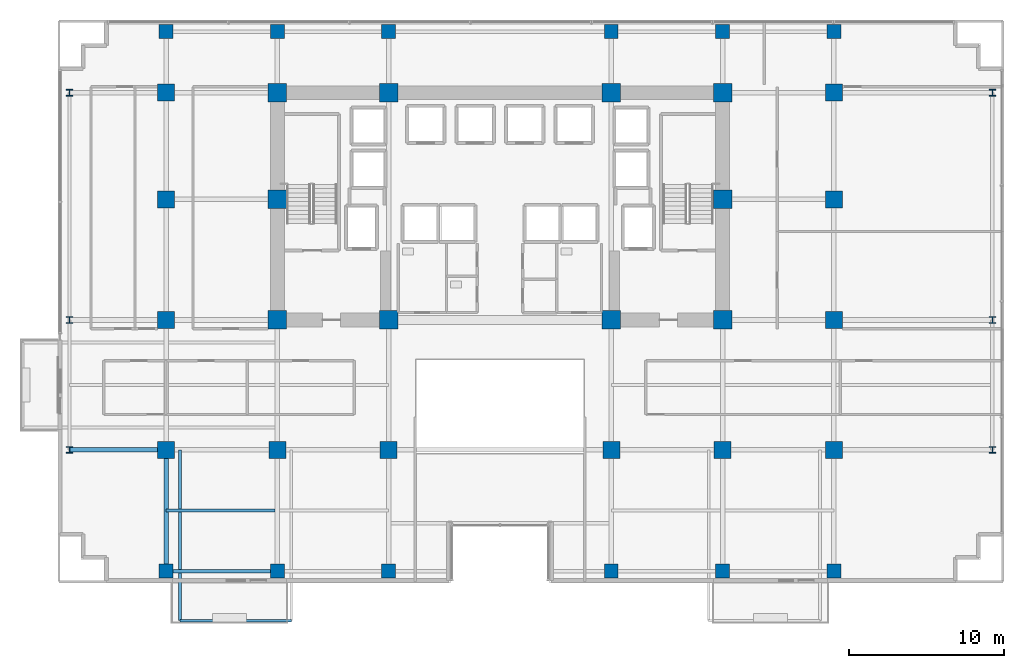
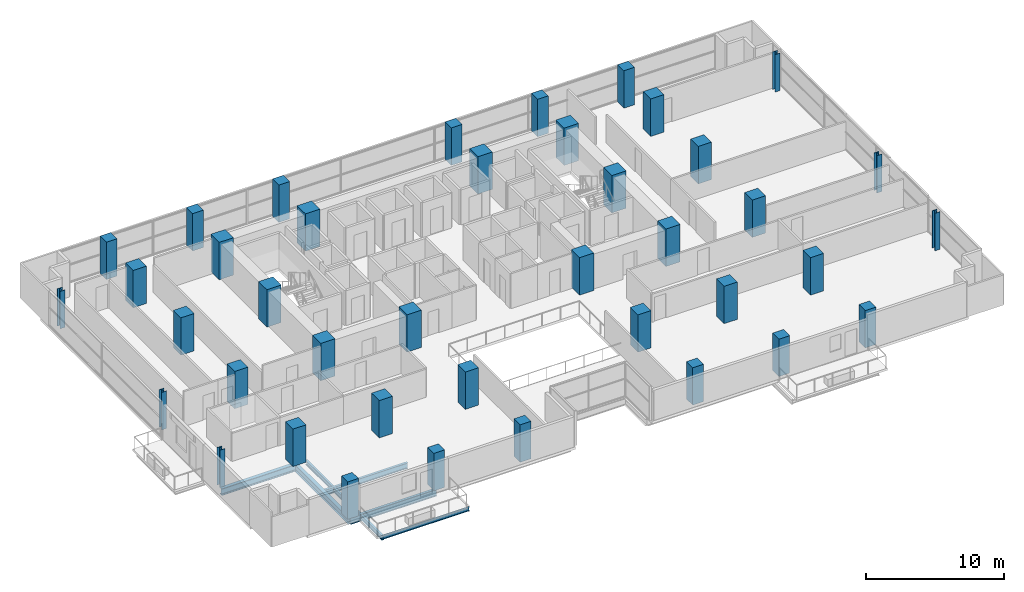
# One storey, part 1 of 31: 40 columns, 6 beams.
"""IFC4 building model written with IfcOpenShell, lengths in metres."""

from ifc_helpers import new_model, si_unit, direction, frame, origin, origin_2d, place, context, subcontext, project, spatial, rectangle, i_section, extrude, material, material_profile, profile_set, type_object, element, save


model = new_model("IFC4")

# Units and contexts
model_context = context("Model", 3, precision=1e-05, world=origin(), true_north=direction((0.0, 1.0)))
body_context = subcontext(model_context, "Body", "Model", "MODEL_VIEW")
ifc_project = project(units=[si_unit("LENGTHUNIT", "METRE"), si_unit("AREAUNIT", "SQUARE_METRE"), si_unit("VOLUMEUNIT", "CUBIC_METRE"), si_unit("PLANEANGLEUNIT", "RADIAN"), si_unit("MASSUNIT", "GRAM", prefix="KILO")], contexts=[model_context])

# Site, building, storey
site_placement = place(None, origin())
site = spatial("IfcSite", under=ifc_project, at=site_placement, CompositionType="ELEMENT")
building_placement = place(site_placement, origin())
building = spatial("IfcBuilding", under=site, at=building_placement, Name="Zarnakvel Exchange Tower", CompositionType="ELEMENT")
storey_placement = place(building_placement, frame((0.0, 0.0, 67.0)))
storey = spatial("IfcBuildingStorey", under=building, at=storey_placement, Name="L18", CompositionType="ELEMENT", Elevation=67.0)

# Columns
ifc_material_1 = material(Name="Concrete C80/95", Category="concrete")
ifc_material_profile_1 = material_profile(ifc_material_1, rectangle(XDim=1.199951171875, YDim=1.199951171875, at=origin_2d()))
ifc_profile_set_1 = profile_set([ifc_material_profile_1], Name="Concrete C80/95")
column_type_1 = type_object("IfcColumnType", Name="CC-01", PredefinedType="COLUMN", material=ifc_profile_set_1)
for number, where, z_axis, x_axis, name in (
    (1, (-14.39990234375, -1.199951171875, 0.0), (0.0, 0.0, 1.0), (1.0, 0.0, 0.0), "L18 Column C-4D (CC-01)"),
    (2, (-7.199951171875, -1.199951171875, 0.0), (0.0, 0.0, 1.0), (1.0, 0.0, 0.0), "L18 Column C-5D (CC-01)"),
    (3, (7.199951171875, -1.199951171875, 0.0), (0.0, 0.0, 1.0), (1.0, 0.0, 0.0), "L18 Column C-8D (CC-01)"),
    (4, (14.39990234375, -1.199951171875, 0.0), (0.0, 0.0, 1.0), (1.0, 0.0, 0.0), "L18 Column C-9D (CC-01)"),
    (5, (-14.39990234375, 6.60009765625, 0.0), (0.0, 0.0, 1.0), (1.0, 0.0, 0.0), "L18 Column C-4E (CC-01)"),
    (6, (14.39990234375, 6.60009765625, 0.0), (0.0, 0.0, 1.0), (1.0, 0.0, 0.0), "L18 Column C-9E (CC-01)"),
    (7, (-14.39990234375, 13.5, 0.0), (0.0, 0.0, 1.0), (1.0, 0.0, 0.0), "L18 Column C-4F (CC-01)"),
    (8, (-7.199951171875, 13.5, 0.0), (0.0, 0.0, 1.0), (1.0, 0.0, 0.0), "L18 Column C-5F (CC-01)"),
    (9, (7.199951171875, 13.5, 0.0), (0.0, 0.0, 1.0), (1.0, 0.0, 0.0), "L18 Column C-8F (CC-01)"),
    (10, (14.39990234375, 13.5, 0.0), (0.0, 0.0, 1.0), (1.0, 0.0, 0.0), "L18 Column C-9F (CC-01)"),
):
    element("IfcColumn", number, at=place(storey_placement, frame(where, z_axis=z_axis, x_axis=x_axis)), inside=storey, type_object=column_type_1, Name=name, PredefinedType="COLUMN", context=body_context, shape_type="SweptSolid", body=[
        extrude(rectangle(XDim=1.199951171875, YDim=1.199951171875, at=origin_2d()), origin(), (0.0, 0.0, 1.0), 3.300048828125),
    ])
ifc_material_2 = material(Name="Steel S355", Category="steel")
ifc_material_profile_2 = material_profile(ifc_material_2, i_section(OverallWidth=0.412109375, OverallDepth=0.425048828125, WebThickness=0.02587890625, FlangeThickness=0.0390625, FilletRadius=0.014892578125, at=origin_2d()))
ifc_profile_set_2 = profile_set([ifc_material_profile_2], Name="Steel S355")
column_type_2 = type_object("IfcColumnType", Name="SC-01", PredefinedType="COLUMN", material=ifc_profile_set_2)
for number, where, z_axis, x_axis, name in (
    (11, (-27.85009765625, -9.60009765625, 0.0), (0.0, 0.0, 1.0), (1.0, 0.0, 0.0), "L18 Column TW-C (SC-01)"),
    (12, (31.85009765625, -9.60009765625, 0.0), (0.0, 0.0, 1.0), (1.0, 0.0, 0.0), "L18 Column TE-C (SC-01)"),
    (13, (-27.85009765625, -1.199951171875, 0.0), (0.0, 0.0, 1.0), (1.0, 0.0, 0.0), "L18 Column TW-D (SC-01)"),
    (14, (31.85009765625, -1.199951171875, 0.0), (0.0, 0.0, 1.0), (1.0, 0.0, 0.0), "L18 Column TE-D (SC-01)"),
    (15, (-27.85009765625, 13.5, 0.0), (0.0, 0.0, 1.0), (1.0, 0.0, 0.0), "L18 Column TW-F (SC-01)"),
    (16, (31.85009765625, 13.5, 0.0), (0.0, 0.0, 1.0), (1.0, 0.0, 0.0), "L18 Column TE-F (SC-01)"),
):
    element("IfcColumn", number, at=place(storey_placement, frame(where, z_axis=z_axis, x_axis=x_axis)), inside=storey, type_object=column_type_2, Name=name, PredefinedType="COLUMN", context=body_context, shape_type="SweptSolid", body=[
        extrude(i_section(OverallWidth=0.412109375, OverallDepth=0.425048828125, WebThickness=0.02587890625, FlangeThickness=0.0390625, FilletRadius=0.014892578125, at=origin_2d()), origin(), (0.0, 0.0, 1.0), 3.300048828125),
    ])
ifc_material_profile_3 = material_profile(ifc_material_1, rectangle(XDim=1.10009765625, YDim=1.10009765625, at=origin_2d()))
ifc_profile_set_3 = profile_set([ifc_material_profile_3], Name="Concrete C80/95")
column_type_3 = type_object("IfcColumnType", Name="TC-01", PredefinedType="COLUMN", material=ifc_profile_set_3)
for number, where, z_axis, x_axis, name in (
    (17, (-14.39990234375, -9.60009765625, 0.0), (0.0, 0.0, 1.0), (1.0, 0.0, 0.0), "L18 Column T-4C (TC-01)"),
    (18, (-7.199951171875, -9.60009765625, 0.0), (0.0, 0.0, 1.0), (1.0, 0.0, 0.0), "L18 Column T-5C (TC-01)"),
    (19, (7.199951171875, -9.60009765625, 0.0), (0.0, 0.0, 1.0), (1.0, 0.0, 0.0), "L18 Column T-8C (TC-01)"),
    (20, (14.39990234375, -9.60009765625, 0.0), (0.0, 0.0, 1.0), (1.0, 0.0, 0.0), "L18 Column T-9C (TC-01)"),
    (21, (-21.60009765625, -9.60009765625, 0.0), (0.0, 0.0, 1.0), (1.0, 0.0, 0.0), "L18 Column T-3C (TC-01)"),
    (22, (-21.60009765625, -1.199951171875, 0.0), (0.0, 0.0, 1.0), (1.0, 0.0, 0.0), "L18 Column T-3D (TC-01)"),
    (23, (-21.60009765625, 6.60009765625, 0.0), (0.0, 0.0, 1.0), (1.0, 0.0, 0.0), "L18 Column T-3E (TC-01)"),
    (24, (-21.60009765625, 13.5, 0.0), (0.0, 0.0, 1.0), (1.0, 0.0, 0.0), "L18 Column T-3F (TC-01)"),
    (25, (21.60009765625, -9.60009765625, 0.0), (0.0, 0.0, 1.0), (1.0, 0.0, 0.0), "L18 Column T-10C (TC-01)"),
    (26, (21.60009765625, -1.199951171875, 0.0), (0.0, 0.0, 1.0), (1.0, 0.0, 0.0), "L18 Column T-10D (TC-01)"),
    (27, (21.60009765625, 6.60009765625, 0.0), (0.0, 0.0, 1.0), (1.0, 0.0, 0.0), "L18 Column T-10E (TC-01)"),
    (28, (21.60009765625, 13.5, 0.0), (0.0, 0.0, 1.0), (1.0, 0.0, 0.0), "L18 Column T-10F (TC-01)"),
):
    element("IfcColumn", number, at=place(storey_placement, frame(where, z_axis=z_axis, x_axis=x_axis)), inside=storey, type_object=column_type_3, Name=name, PredefinedType="COLUMN", context=body_context, shape_type="SweptSolid", body=[
        extrude(rectangle(XDim=1.10009765625, YDim=1.10009765625, at=origin_2d()), origin(), (0.0, 0.0, 1.0), 3.300048828125),
    ])
ifc_material_3 = material(Name="Concrete C60/75", Category="concrete")
ifc_material_profile_4 = material_profile(ifc_material_3, rectangle(XDim=0.89990234375, YDim=0.89990234375, at=origin_2d()))
ifc_profile_set_4 = profile_set([ifc_material_profile_4], Name="Concrete C60/75")
column_type_4 = type_object("IfcColumnType", Name="TC-02", PredefinedType="COLUMN", material=ifc_profile_set_4)
for number, where, z_axis, x_axis, name in (
    (29, (-14.39990234375, -17.449951171875, 0.0), (0.0, 0.0, 1.0), (1.0, 0.0, 0.0), "L18 Column TS-4 (TC-02)"),
    (30, (-14.39990234375, 17.449951171875, 0.0), (0.0, 0.0, 1.0), (1.0, 0.0, 0.0), "L18 Column TN-4 (TC-02)"),
    (31, (-7.199951171875, -17.449951171875, 0.0), (0.0, 0.0, 1.0), (1.0, 0.0, 0.0), "L18 Column TS-5 (TC-02)"),
    (32, (-7.199951171875, 17.449951171875, 0.0), (0.0, 0.0, 1.0), (1.0, 0.0, 0.0), "L18 Column TN-5 (TC-02)"),
    (33, (7.199951171875, -17.449951171875, 0.0), (0.0, 0.0, 1.0), (1.0, 0.0, 0.0), "L18 Column TS-8 (TC-02)"),
    (34, (7.199951171875, 17.449951171875, 0.0), (0.0, 0.0, 1.0), (1.0, 0.0, 0.0), "L18 Column TN-8 (TC-02)"),
    (35, (14.39990234375, -17.449951171875, 0.0), (0.0, 0.0, 1.0), (1.0, 0.0, 0.0), "L18 Column TS-9 (TC-02)"),
    (36, (14.39990234375, 17.449951171875, 0.0), (0.0, 0.0, 1.0), (1.0, 0.0, 0.0), "L18 Column TN-9 (TC-02)"),
    (37, (-21.60009765625, -17.449951171875, 0.0), (0.0, 0.0, 1.0), (1.0, 0.0, 0.0), "L18 Column TS-3 (TC-02)"),
    (38, (-21.60009765625, 17.449951171875, 0.0), (0.0, 0.0, 1.0), (1.0, 0.0, 0.0), "L18 Column TN-3 (TC-02)"),
    (39, (21.60009765625, -17.449951171875, 0.0), (0.0, 0.0, 1.0), (1.0, 0.0, 0.0), "L18 Column TS-10 (TC-02)"),
    (40, (21.60009765625, 17.449951171875, 0.0), (0.0, 0.0, 1.0), (1.0, 0.0, 0.0), "L18 Column TN-10 (TC-02)"),
):
    element("IfcColumn", number, at=place(storey_placement, frame(where, z_axis=z_axis, x_axis=x_axis)), inside=storey, type_object=column_type_4, Name=name, PredefinedType="COLUMN", context=body_context, shape_type="SweptSolid", body=[
        extrude(rectangle(XDim=0.89990234375, YDim=0.89990234375, at=origin_2d()), origin(), (0.0, 0.0, 1.0), 3.300048828125),
    ])

# Beams
ifc_material_profile_5 = material_profile(ifc_material_2, i_section(OverallWidth=0.199951171875, OverallDepth=0.5, WebThickness=0.01025390625, FlangeThickness=0.01611328125, FilletRadius=0.02099609375, at=origin_2d()))
ifc_profile_set_5 = profile_set([ifc_material_profile_5], Name="Steel S355")
beam_type_1 = type_object("IfcBeamType", Name="B-04", PredefinedType="JOIST", material=ifc_profile_set_5)
beam_1_placement = place(storey_placement, frame((-21.60009765625, -13.52490234375, -0.47509765625), z_axis=(1.0, 0.0, 0.0), x_axis=(0.0, 1.0, 0.0)))
element("IfcBeam", 41, at=beam_1_placement, inside=storey, type_object=beam_type_1, Name="L18 Composite Floor Secondary Joist", PredefinedType="JOIST", context=body_context, shape_type="SweptSolid", body=[
    extrude(i_section(OverallWidth=0.199951171875, OverallDepth=0.5, WebThickness=0.01025390625, FlangeThickness=0.01611328125, FilletRadius=0.02099609375, at=origin_2d()), origin(), (0.0, 0.0, 1.0), 7.050048828125),
])
ifc_material_profile_6 = material_profile(ifc_material_2, i_section(OverallWidth=0.179931640625, OverallDepth=0.39990234375, WebThickness=0.008544921875, FlangeThickness=0.013427734375, FilletRadius=0.02099609375, at=origin_2d()))
ifc_profile_set_6 = profile_set([ifc_material_profile_6], Name="Steel S355")
beam_type_2 = type_object("IfcBeamType", Name="B-06", PredefinedType="JOIST", material=ifc_profile_set_6)
beam_2_placement = place(storey_placement, frame((-20.699951171875, -9.60009765625, -0.425048828125), z_axis=(0.0, -1.0, 0.0), x_axis=(1.0, 0.0, 0.0)))
element("IfcBeam", 42, at=beam_2_placement, inside=storey, type_object=beam_type_2, Name="L18 Continuous Back-Spanned Balcony Beam W", PredefinedType="JOIST", context=body_context, shape_type="SweptSolid", body=[
    extrude(i_section(OverallWidth=0.179931640625, OverallDepth=0.39990234375, WebThickness=0.008544921875, FlangeThickness=0.013427734375, FilletRadius=0.02099609375, at=origin_2d()), origin(), (0.0, 0.0, 1.0), 11.0498046875),
])
ifc_material_profile_7 = material_profile(ifc_material_2, i_section(OverallWidth=0.14990234375, OverallDepth=0.300048828125, WebThickness=0.007080078125, FlangeThickness=0.0107421875, FilletRadius=0.014892578125, at=origin_2d()))
ifc_profile_set_7 = profile_set([ifc_material_profile_7], Name="Steel S355")
beam_type_3 = type_object("IfcBeamType", Name="B-08", PredefinedType="JOIST", material=ifc_profile_set_7)
beam_3_placement = place(storey_placement, frame((-20.699951171875, -20.64990234375, -0.375), z_axis=(1.0, 0.0, 0.0), x_axis=(0.0, 1.0, 0.0)))
element("IfcBeam", 43, at=beam_3_placement, inside=storey, type_object=beam_type_3, Name="L18 Balcony Edge Beam", PredefinedType="JOIST", context=body_context, shape_type="SweptSolid", body=[
    extrude(i_section(OverallWidth=0.14990234375, OverallDepth=0.300048828125, WebThickness=0.007080078125, FlangeThickness=0.0107421875, FilletRadius=0.014892578125, at=origin_2d()), origin(), (0.0, 0.0, 1.0), 7.199951171875),
])
ifc_material_profile_8 = material_profile(ifc_material_2, i_section(OverallWidth=0.300048828125, OverallDepth=0.60009765625, WebThickness=0.015380859375, FlangeThickness=0.030029296875, FilletRadius=0.027099609375, at=origin_2d()))
ifc_profile_set_8 = profile_set([ifc_material_profile_8], Name="Steel S355")
beam_type_4 = type_object("IfcBeamType", Name="G-04", PredefinedType="BEAM", material=ifc_profile_set_8)
beam_4_placement = place(storey_placement, frame((-27.85009765625, -9.60009765625, -0.52490234375), z_axis=(1.0, 0.0, 0.0), x_axis=(0.0, 1.0, 0.0)))
element("IfcBeam", 44, at=beam_4_placement, inside=storey, type_object=beam_type_4, Name="L18 Tower E-W Frame Beam", PredefinedType="BEAM", context=body_context, shape_type="SweptSolid", body=[
    extrude(i_section(OverallWidth=0.300048828125, OverallDepth=0.60009765625, WebThickness=0.015380859375, FlangeThickness=0.030029296875, FilletRadius=0.027099609375, at=origin_2d()), origin(), (0.0, 0.0, 1.0), 6.25),
])
beam_5_placement = place(storey_placement, frame((-21.60009765625, -17.449951171875, -0.52490234375), z_axis=(0.0, 1.0, 0.0), x_axis=(-1.0, 0.0, 0.0)))
element("IfcBeam", 45, at=beam_5_placement, inside=storey, type_object=beam_type_4, Name="L18 Tower N-S Frame Beam", PredefinedType="BEAM", context=body_context, shape_type="SweptSolid", body=[
    extrude(i_section(OverallWidth=0.300048828125, OverallDepth=0.60009765625, WebThickness=0.015380859375, FlangeThickness=0.030029296875, FilletRadius=0.027099609375, at=origin_2d()), origin(), (0.0, 0.0, 1.0), 7.849853515625),
])
ifc_material_profile_9 = material_profile(ifc_material_2, i_section(OverallWidth=0.219970703125, OverallDepth=0.60009765625, WebThickness=0.011962890625, FlangeThickness=0.01904296875, FilletRadius=0.02392578125, at=origin_2d()))
ifc_profile_set_9 = profile_set([ifc_material_profile_9], Name="Steel S355")
beam_type_5 = type_object("IfcBeamType", Name="SP-01", PredefinedType="SPANDREL", material=ifc_profile_set_9)
beam_6_placement = place(storey_placement, frame((-21.60009765625, -17.449951171875, -0.52490234375), z_axis=(1.0, 0.0, 0.0), x_axis=(0.0, 1.0, 0.0)))
element("IfcBeam", 46, at=beam_6_placement, inside=storey, type_object=beam_type_5, Name="L18 Tower E-W Frame Beam", PredefinedType="SPANDREL", context=body_context, shape_type="SweptSolid", body=[
    extrude(i_section(OverallWidth=0.219970703125, OverallDepth=0.60009765625, WebThickness=0.011962890625, FlangeThickness=0.01904296875, FilletRadius=0.02392578125, at=origin_2d()), origin(), (0.0, 0.0, 1.0), 7.2001953125),
])

save(model, "model.ifc")
